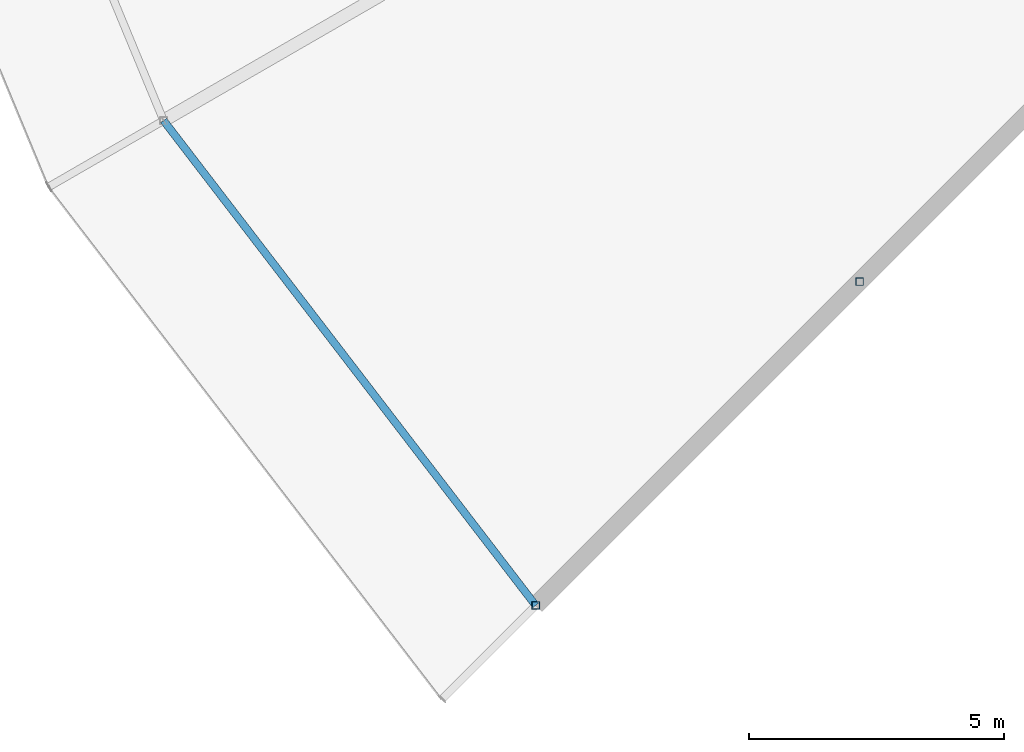
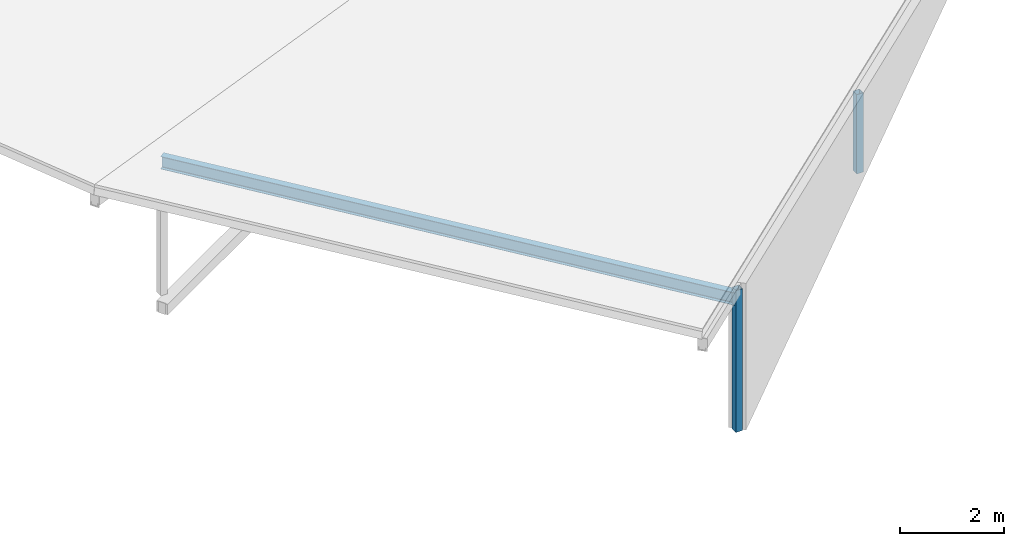
# One storey, part 4 of 70: 2 members, 1 beam.
"""IFC4 building model written with IfcOpenShell, lengths in metres."""

from ifc_helpers import new_model, si_unit, direction, frame, origin, origin_2d, place, context, subcontext, project, spatial, hollow_rectangle, i_section, extrude, material, material_profile, profile_set, type_object, element, save


model = new_model("IFC4")

# Units and contexts
model_context = context("Model", 3, precision=1e-05, world=origin(), true_north=direction((0.0, 1.0)))
body_context = subcontext(model_context, "Body", "Model", "MODEL_VIEW")
ifc_project = project(units=[si_unit("LENGTHUNIT", "METRE"), si_unit("AREAUNIT", "SQUARE_METRE"), si_unit("VOLUMEUNIT", "CUBIC_METRE"), si_unit("PLANEANGLEUNIT", "RADIAN"), si_unit("MASSUNIT", "GRAM", prefix="KILO")], contexts=[model_context])

# Site, building, storey
site_placement = place(None, origin())
site = spatial("IfcSite", under=ifc_project, at=site_placement, CompositionType="ELEMENT")
building_placement = place(site_placement, origin())
building = spatial("IfcBuilding", under=site, at=building_placement, Name="Vondelvale Polytechnic", CompositionType="ELEMENT")
storey_placement = place(building_placement, frame((0.0, 0.0, 22.199951171875)))
storey = spatial("IfcBuildingStorey", under=building, at=storey_placement, Name="L05", CompositionType="ELEMENT", Elevation=22.199951171875)

# Beam
ifc_material_1 = material(Name="Steel 300PLUS (fy = 300 MPa)", Category="steel")
ifc_material_profile_1 = material_profile(ifc_material_1, i_section(OverallWidth=0.14892578125, OverallDepth=0.298095703125, WebThickness=0.005615234375, FlangeThickness=0.008056640625, FilletRadius=0.011474609375, at=origin_2d()), Name="310UB32.0")
ifc_profile_set_1 = profile_set([ifc_material_profile_1], Name="Steel 300PLUS (fy = 300 MPa)")
beam_type = type_object("IfcBeamType", Name="BM-UB310L", PredefinedType="BEAM", material=ifc_profile_set_1)
beam_placement = place(storey_placement, frame((62.162841796875, 49.0, 3.11083984375), z_axis=(0.608766116008, -0.793349743808, 0.0), x_axis=(0.793349743808, 0.608766116008, 0.0)))
element("IfcBeam", 1, at=beam_placement, inside=storey, type_object=beam_type, Name="L05 RE B-25", PredefinedType="BEAM", context=body_context, shape_type="SweptSolid", body=[
    extrude(i_section(OverallWidth=0.14892578125, OverallDepth=0.298095703125, WebThickness=0.005615234375, FlangeThickness=0.008056640625, FilletRadius=0.011474609375, at=origin_2d()), origin(), (0.0, 0.0, 1.0), 12.00830078125),
])

# Members
ifc_material_2 = material(Name="Steel C350L0 (fy = 350 MPa)", Category="steel")
ifc_material_profile_2 = material_profile(ifc_material_2, hollow_rectangle(XDim=0.14990234375, YDim=0.14990234375, WallThickness=0.006103515625, at=origin_2d()), Name="150x150x6.0SHS")
ifc_profile_set_2 = profile_set([ifc_material_profile_2], Name="Steel C350L0 (fy = 350 MPa)")
member_type = type_object("IfcMemberType", Name="ROOF TRUSS POST 150SHS", PredefinedType="POST", material=ifc_profile_set_2)
member_1_placement = place(storey_placement, frame((69.47314453125, 39.47314453125, 0.0), z_axis=(0.0, 0.0, 1.0), x_axis=(1.0, 0.0, 0.0)))
element("IfcMember", 2, at=member_1_placement, inside=storey, type_object=member_type, Name="Ring step outer roof post 14", PredefinedType="POST", context=body_context, shape_type="SweptSolid", body=[
    extrude(hollow_rectangle(XDim=0.14990234375, YDim=0.14990234375, WallThickness=0.006103515625, at=origin_2d()), origin(), (0.0, 0.0, 1.0), 3.33984375),
])
member_2_placement = place(storey_placement, frame((75.8369140625, 45.8369140625, 0.0), z_axis=(0.0, 0.0, 1.0), x_axis=(1.0, 0.0, 0.0)))
element("IfcMember", 3, at=member_2_placement, inside=storey, type_object=member_type, Name="Ring step mid roof post 14", PredefinedType="POST", context=body_context, shape_type="SweptSolid", body=[
    extrude(hollow_rectangle(XDim=0.14990234375, YDim=0.14990234375, WallThickness=0.006103515625, at=origin_2d()), origin(), (0.0, 0.0, 1.0), 1.86572265625),
])

save(model, "model.ifc")
